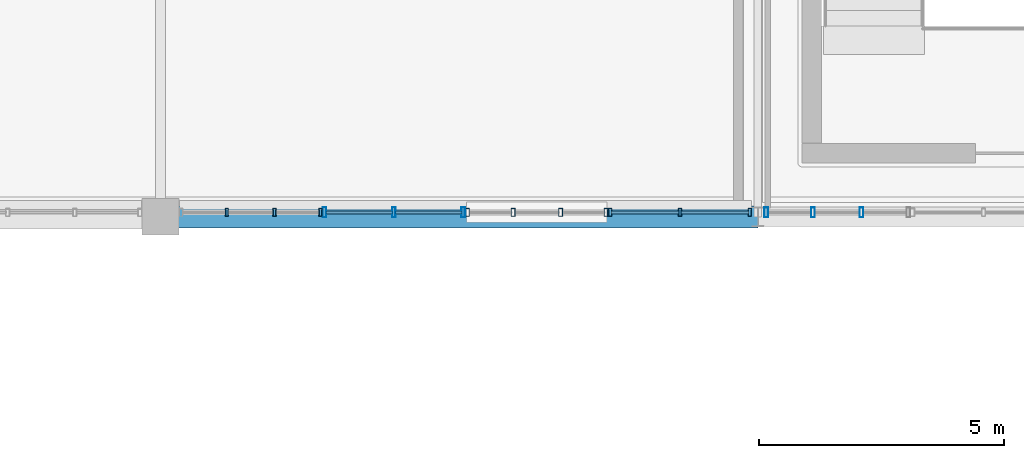
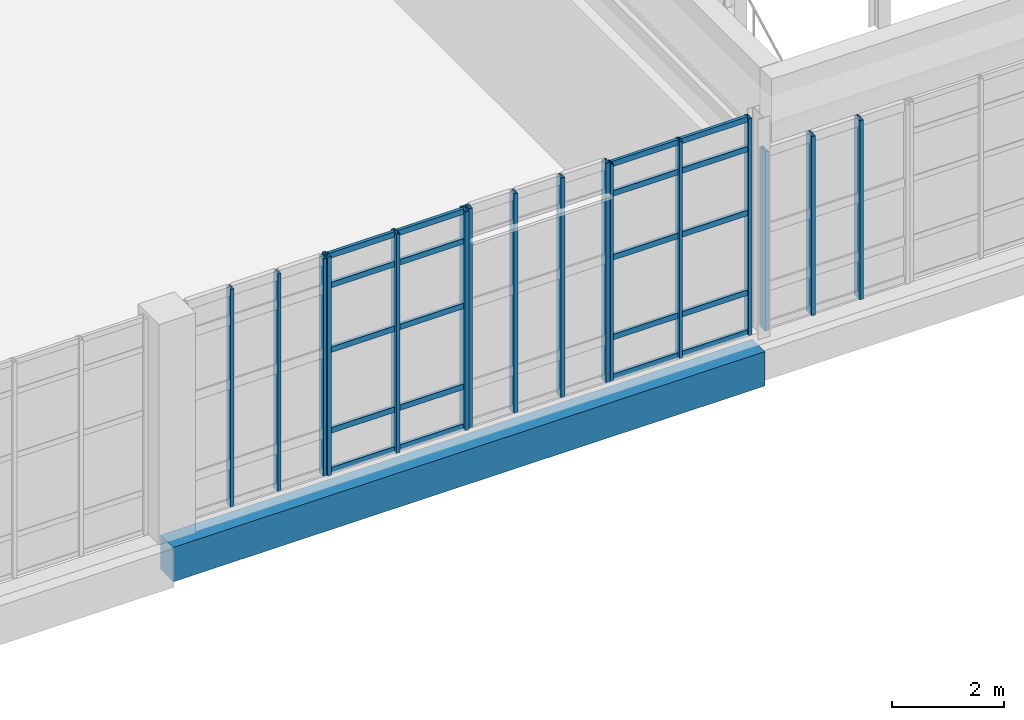
# One storey, part 71 of 127: 36 members, 1 beam, 5 elements without a shape of their own.
"""IFC4 building model written with IfcOpenShell, lengths in metres."""

from ifc_helpers import new_model, si_unit, derived_unit, direction, frame, origin, origin_2d, place, context, subcontext, project, spatial, rectangle, hollow_rectangle, extrude, material, layer, layer_set, material_profile, profile_set, type_object, element, aggregate, save


model = new_model("IFC4")

# Units and contexts
model_context = context("Model", 3, precision=1e-05, world=origin(), true_north=direction((0.0, 1.0)))
body_context = subcontext(model_context, "Body", "Model", "MODEL_VIEW")
ifc_project = project(units=[si_unit("LENGTHUNIT", "METRE"), si_unit("AREAUNIT", "SQUARE_METRE"), si_unit("VOLUMEUNIT", "CUBIC_METRE"), si_unit("PLANEANGLEUNIT", "RADIAN"), si_unit("MASSUNIT", "GRAM", prefix="KILO"), derived_unit("THERMALTRANSMITTANCEUNIT", [(si_unit("POWERUNIT", "WATT"), 1), (si_unit("LENGTHUNIT", "METRE"), -2), (si_unit("THERMODYNAMICTEMPERATUREUNIT", "KELVIN"), -1)])], contexts=[model_context])

# Site, building, storey
site_placement = place(None, origin())
site = spatial("IfcSite", under=ifc_project, at=site_placement, CompositionType="ELEMENT")
building_placement = place(site_placement, origin())
building = spatial("IfcBuilding", under=site, at=building_placement, Name="Nallur Shell Playhouse", CompositionType="ELEMENT")
storey_placement = place(building_placement, frame((0.0, 0.0, 5.39990234375)))
storey = spatial("IfcBuildingStorey", under=building, at=storey_placement, Name="L02", CompositionType="ELEMENT", Elevation=5.39990234375)

# Beam
ifc_material_1 = material(Name="Concrete M35", Category="concrete")
ifc_material_profile_1 = material_profile(ifc_material_1, rectangle(XDim=0.449951171875, YDim=0.75, at=origin_2d()), Name="RC 450x750")
ifc_profile_set_1 = profile_set([ifc_material_profile_1], Name="Concrete M35")
beam_type = type_object("IfcBeamType", Name="BM-RC-450x750", PredefinedType="BEAM", material=ifc_profile_set_1)
beam_placement = place(storey_placement, frame((135.39990234375, 24.0, -0.65478515625), z_axis=(1.0, 0.0, 0.0), x_axis=(0.0, 1.0, 0.0)))
element("IfcBeam", 1, at=beam_placement, inside=storey, type_object=beam_type, Name="L02 girder X-C-334", PredefinedType="BEAM", context=body_context, shape_type="SweptSolid", body=[
    extrude(rectangle(XDim=0.449951171875, YDim=0.75, at=origin_2d()), origin(), (0.0, 0.0, 1.0), 12.2001953125),
])

# Curtain wall, members
ifc_material_2 = material(Name="Anodised Aluminium Double-Glazed Facade System", Category="aluminium")
ifc_layer_1 = layer(ifc_material_2, 0.159912109375)
ifc_layer_set_1 = layer_set([ifc_layer_1], Name="Anodised Aluminium Double-Glazed Facade System")
curtain_wall_type_1 = type_object("IfcCurtainWallType", Name="CW-UNIT-12", PredefinedType="NOTDEFINED", material=ifc_layer_set_1)
curtain_wall_1_placement = place(storey_placement, origin())
curtain_wall_1 = element("IfcCurtainWall", 2, at=curtain_wall_1_placement, inside=storey, type_object=curtain_wall_type_1, Name="Unitised curtain wall CW-044 (L02)", PredefinedType="NOTDEFINED")
ifc_material_3 = material(Name="Aluminium Alloy 6063-T6 Mullion", Category="aluminium")
ifc_material_profile_2 = material_profile(ifc_material_3, hollow_rectangle(XDim=0.080078125, YDim=0.159912109375, WallThickness=0.006103515625, at=origin_2d()), Name="RHS 160x80x6")
ifc_profile_set_2 = profile_set([ifc_material_profile_2], Name="Aluminium Alloy 6063-T6 Mullion")
member_type_1 = type_object("IfcMemberType", Name="MB-CW-MUL150", PredefinedType="MULLION", material=ifc_profile_set_2)
member_1_placement = place(storey_placement, frame((144.5009765625, 24.090087890625, -0.014892578125), z_axis=(0.0, 0.0, 1.0), x_axis=(-1.0, 0.0, 0.0)))
member_1 = element("IfcMember", 3, at=member_1_placement, type_object=member_type_1, Name="CW-12 mullion 1", PredefinedType="MULLION", context=body_context, shape_type="SweptSolid", body=[
    extrude(hollow_rectangle(XDim=0.080078125, YDim=0.159912109375, WallThickness=0.006103515625, at=origin_2d()), origin(), (0.0, 0.0, 1.0), 4.7890625),
])
member_2_placement = place(storey_placement, frame((143.570556640625, 24.090087890625, -0.014892578125), z_axis=(0.0, 0.0, 1.0), x_axis=(-1.0, 0.0, 0.0)))
member_2 = element("IfcMember", 4, at=member_2_placement, type_object=member_type_1, Name="CW-12 mullion 2", PredefinedType="MULLION", context=body_context, shape_type="SweptSolid", body=[
    extrude(hollow_rectangle(XDim=0.080078125, YDim=0.159912109375, WallThickness=0.006103515625, at=origin_2d()), origin(), (0.0, 0.0, 1.0), 4.7890625),
])
member_3_placement = place(storey_placement, frame((142.600341796875, 24.090087890625, -0.014892578125), z_axis=(0.0, 0.0, 1.0), x_axis=(-1.0, 0.0, 0.0)))
member_3 = element("IfcMember", 5, at=member_3_placement, type_object=member_type_1, Name="CW-12 mullion 3", PredefinedType="MULLION", context=body_context, shape_type="SweptSolid", body=[
    extrude(hollow_rectangle(XDim=0.080078125, YDim=0.159912109375, WallThickness=0.006103515625, at=origin_2d()), origin(), (0.0, 0.0, 1.0), 4.7890625),
])
member_4_placement = place(storey_placement, frame((141.669921875, 24.090087890625, -0.014892578125), z_axis=(0.0, 0.0, 1.0), x_axis=(-1.0, 0.0, 0.0)))
member_4 = element("IfcMember", 6, at=member_4_placement, type_object=member_type_1, Name="CW-12 mullion 4", PredefinedType="MULLION", context=body_context, shape_type="SweptSolid", body=[
    extrude(hollow_rectangle(XDim=0.080078125, YDim=0.159912109375, WallThickness=0.006103515625, at=origin_2d()), origin(), (0.0, 0.0, 1.0), 4.7890625),
])
aggregate(curtain_wall_1, [member_1, member_2, member_3, member_4])

ifc_layer_2 = layer(ifc_material_2, 0.179931640625)
ifc_layer_set_2 = layer_set([ifc_layer_2], Name="Anodised Aluminium Double-Glazed Facade System")
curtain_wall_type_2 = type_object("IfcCurtainWallType", Name="CW-UNIT-11", PredefinedType="NOTDEFINED", material=ifc_layer_set_2)
curtain_wall_2_placement = place(storey_placement, origin())
curtain_wall_2 = element("IfcCurtainWall", 7, at=curtain_wall_2_placement, inside=storey, type_object=curtain_wall_type_2, Name="Unitised curtain wall CW-043 (L02)", PredefinedType="NOTDEFINED")
ifc_material_profile_3 = material_profile(ifc_material_3, hollow_rectangle(XDim=0.06494140625, YDim=0.159912109375, WallThickness=0.00390625, at=origin_2d()), Name="ALU 65x160x4")
ifc_profile_set_3 = profile_set([ifc_material_profile_3], Name="Aluminium Alloy 6063-T6 Mullion")
member_type_2 = type_object("IfcMemberType", Name="MB-CW-MUL160", PredefinedType="MULLION", material=ifc_profile_set_3)
member_5_placement = place(storey_placement, frame((147.4345703125, 24.090087890625, -0.014892578125), z_axis=(0.0, 0.0, 1.0), x_axis=(-1.0, 0.0, 0.0)))
member_5 = element("IfcMember", 8, at=member_5_placement, type_object=member_type_2, Name="CW-11 mullion 1", PredefinedType="MULLION", context=body_context, shape_type="SweptSolid", body=[
    extrude(hollow_rectangle(XDim=0.06494140625, YDim=0.159912109375, WallThickness=0.00390625, at=origin_2d()), origin(), (0.0, 0.0, 1.0), 4.72900390625),
])
member_6_placement = place(storey_placement, frame((146.009033203125, 24.090087890625, -0.014892578125), z_axis=(0.0, 0.0, 1.0), x_axis=(-1.0, 0.0, 0.0)))
member_6 = element("IfcMember", 9, at=member_6_placement, type_object=member_type_2, Name="CW-11 mullion 2", PredefinedType="MULLION", context=body_context, shape_type="SweptSolid", body=[
    extrude(hollow_rectangle(XDim=0.06494140625, YDim=0.159912109375, WallThickness=0.00390625, at=origin_2d()), origin(), (0.0, 0.0, 1.0), 4.72900390625),
])
member_7_placement = place(storey_placement, frame((144.58349609375, 24.090087890625, -0.014892578125), z_axis=(0.0, 0.0, 1.0), x_axis=(-1.0, 0.0, 0.0)))
member_7 = element("IfcMember", 10, at=member_7_placement, type_object=member_type_2, Name="CW-11 mullion 3", PredefinedType="MULLION", context=body_context, shape_type="SweptSolid", body=[
    extrude(hollow_rectangle(XDim=0.06494140625, YDim=0.159912109375, WallThickness=0.00390625, at=origin_2d()), origin(), (0.0, 0.0, 1.0), 4.72900390625),
])

ifc_layer_3 = layer(ifc_material_2, 0.16796875)
ifc_layer_set_3 = layer_set([ifc_layer_3], Name="Anodised Aluminium Double-Glazed Facade System")
curtain_wall_type_3 = type_object("IfcCurtainWallType", Name="CW-UNIT-14", PredefinedType="NOTDEFINED", material=ifc_layer_set_3)
curtain_wall_3_placement = place(storey_placement, origin())
curtain_wall_3 = element("IfcCurtainWall", 11, at=curtain_wall_3_placement, inside=storey, type_object=curtain_wall_type_3, Name="Unitised curtain wall CW-046 (L02)", PredefinedType="NOTDEFINED")
member_8_placement = place(storey_placement, frame((138.66650390625, 24.090087890625, -0.014892578125), z_axis=(0.0, 0.0, 1.0), x_axis=(-1.0, 0.0, 0.0)))
member_8 = element("IfcMember", 12, at=member_8_placement, type_object=member_type_2, Name="CW-14 mullion 1", PredefinedType="MULLION", context=body_context, shape_type="SweptSolid", body=[
    extrude(hollow_rectangle(XDim=0.06494140625, YDim=0.159912109375, WallThickness=0.00390625, at=origin_2d()), origin(), (0.0, 0.0, 1.0), 4.7490234375),
])
member_9_placement = place(storey_placement, frame((137.72705078125, 24.090087890625, -0.014892578125), z_axis=(0.0, 0.0, 1.0), x_axis=(-1.0, 0.0, 0.0)))
member_9 = element("IfcMember", 13, at=member_9_placement, type_object=member_type_2, Name="CW-14 mullion 2", PredefinedType="MULLION", context=body_context, shape_type="SweptSolid", body=[
    extrude(hollow_rectangle(XDim=0.06494140625, YDim=0.159912109375, WallThickness=0.00390625, at=origin_2d()), origin(), (0.0, 0.0, 1.0), 4.7490234375),
])
member_10_placement = place(storey_placement, frame((136.7548828125, 24.090087890625, -0.014892578125), z_axis=(0.0, 0.0, 1.0), x_axis=(-1.0, 0.0, 0.0)))
member_10 = element("IfcMember", 14, at=member_10_placement, type_object=member_type_2, Name="CW-14 mullion 3", PredefinedType="MULLION", context=body_context, shape_type="SweptSolid", body=[
    extrude(hollow_rectangle(XDim=0.06494140625, YDim=0.159912109375, WallThickness=0.00390625, at=origin_2d()), origin(), (0.0, 0.0, 1.0), 4.7490234375),
])
aggregate(curtain_wall_3, [member_8, member_9, member_10])

ifc_layer_4 = layer(ifc_material_2, 0.176025390625)
ifc_layer_set_4 = layer_set([ifc_layer_4], Name="Anodised Aluminium Double-Glazed Facade System")
curtain_wall_type_4 = type_object("IfcCurtainWallType", Name="CW-UNIT-10", PredefinedType="NOTDEFINED", material=ifc_layer_set_4)
curtain_wall_4_placement = place(storey_placement, origin())
curtain_wall_4 = element("IfcCurtainWall", 15, at=curtain_wall_4_placement, inside=storey, type_object=curtain_wall_type_4, Name="Unitised curtain wall CW-042 (L02)", PredefinedType="NOTDEFINED")
ifc_material_profile_4 = material_profile(ifc_material_3, hollow_rectangle(XDim=0.074951171875, YDim=0.199951171875, WallThickness=0.0048828125, at=origin_2d()), Name="ALU 75x200x5")
ifc_profile_set_4 = profile_set([ifc_material_profile_4], Name="Aluminium Alloy 6063-T6 Mullion")
member_type_3 = type_object("IfcMemberType", Name="MB-CW-MUL180", PredefinedType="MULLION", material=ifc_profile_set_4)
member_11_placement = place(storey_placement, frame((149.71875, 24.090087890625, -0.014892578125), z_axis=(0.0, 0.0, 1.0), x_axis=(-1.0, 0.0, 0.0)))
member_11 = element("IfcMember", 16, at=member_11_placement, type_object=member_type_3, Name="CW-10 mullion 2", PredefinedType="MULLION", context=body_context, shape_type="SweptSolid", body=[
    extrude(hollow_rectangle(XDim=0.074951171875, YDim=0.199951171875, WallThickness=0.0048828125, at=origin_2d()), origin(), (0.0, 0.0, 1.0), 3.904052734375),
])
member_12_placement = place(storey_placement, frame((148.725830078125, 24.090087890625, -0.014892578125), z_axis=(0.0, 0.0, 1.0), x_axis=(-1.0, 0.0, 0.0)))
member_12 = element("IfcMember", 17, at=member_12_placement, type_object=member_type_3, Name="CW-10 mullion 3", PredefinedType="MULLION", context=body_context, shape_type="SweptSolid", body=[
    extrude(hollow_rectangle(XDim=0.074951171875, YDim=0.199951171875, WallThickness=0.0048828125, at=origin_2d()), origin(), (0.0, 0.0, 1.0), 3.904052734375),
])
member_13_placement = place(storey_placement, frame((147.7705078125, 24.090087890625, -0.014892578125), z_axis=(0.0, 0.0, 1.0), x_axis=(-1.0, 0.0, 0.0)))
member_13 = element("IfcMember", 18, at=member_13_placement, type_object=member_type_3, Name="CW-10 mullion 4", PredefinedType="MULLION", context=body_context, shape_type="SweptSolid", body=[
    extrude(hollow_rectangle(XDim=0.074951171875, YDim=0.199951171875, WallThickness=0.0048828125, at=origin_2d()), origin(), (0.0, 0.0, 1.0), 3.904052734375),
])
aggregate(curtain_wall_4, [member_11, member_12, member_13])

ifc_layer_5 = layer(ifc_material_2, 0.1640625)
ifc_layer_set_5 = layer_set([ifc_layer_5], Name="Anodised Aluminium Double-Glazed Facade System")
curtain_wall_type_5 = type_object("IfcCurtainWallType", Name="CW-UNIT-13", PredefinedType="NOTDEFINED", material=ifc_layer_set_5)
curtain_wall_5_placement = place(storey_placement, origin())
curtain_wall_5 = element("IfcCurtainWall", 19, at=curtain_wall_5_placement, inside=storey, type_object=curtain_wall_type_5, Name="Unitised curtain wall CW-045 (L02)", PredefinedType="NOTDEFINED")
member_14_placement = place(storey_placement, frame((141.58251953125, 24.090087890625, -0.014892578125), z_axis=(0.0, 0.0, 1.0), x_axis=(-1.0, 0.0, 0.0)))
member_14 = element("IfcMember", 20, at=member_14_placement, type_object=member_type_3, Name="CW-13 mullion 1", PredefinedType="MULLION", context=body_context, shape_type="SweptSolid", body=[
    extrude(hollow_rectangle(XDim=0.074951171875, YDim=0.199951171875, WallThickness=0.0048828125, at=origin_2d()), origin(), (0.0, 0.0, 1.0), 4.76904296875),
])
member_15_placement = place(storey_placement, frame((140.16455078125, 24.090087890625, -0.014892578125), z_axis=(0.0, 0.0, 1.0), x_axis=(-1.0, 0.0, 0.0)))
member_15 = element("IfcMember", 21, at=member_15_placement, type_object=member_type_3, Name="CW-13 mullion 2", PredefinedType="MULLION", context=body_context, shape_type="SweptSolid", body=[
    extrude(hollow_rectangle(XDim=0.074951171875, YDim=0.199951171875, WallThickness=0.0048828125, at=origin_2d()), origin(), (0.0, 0.0, 1.0), 4.76904296875),
])
member_16_placement = place(storey_placement, frame((138.74658203125, 24.090087890625, -0.014892578125), z_axis=(0.0, 0.0, 1.0), x_axis=(-1.0, 0.0, 0.0)))
member_16 = element("IfcMember", 22, at=member_16_placement, type_object=member_type_3, Name="CW-13 mullion 3", PredefinedType="MULLION", context=body_context, shape_type="SweptSolid", body=[
    extrude(hollow_rectangle(XDim=0.074951171875, YDim=0.199951171875, WallThickness=0.0048828125, at=origin_2d()), origin(), (0.0, 0.0, 1.0), 4.76904296875),
])

# Member
ifc_material_4 = material(Name="Aluminium Alloy 6063-T6 Transom", Category="aluminium")
ifc_material_profile_5 = material_profile(ifc_material_4, hollow_rectangle(XDim=0.06494140625, YDim=0.1201171875, WallThickness=0.00390625, at=origin_2d()), Name="ALU 65x120x4")
ifc_profile_set_5 = profile_set([ifc_material_profile_5], Name="Aluminium Alloy 6063-T6 Transom")
member_type_4 = type_object("IfcMemberType", Name="MB-CW-TRN120", PredefinedType="USERDEFINED", material=ifc_profile_set_5)
member_17_placement = place(storey_placement, frame((147.409912109375, 24.090087890625, 0.03271484375), z_axis=(-1.0, 0.0, 0.0), x_axis=(0.0, -1.0, 0.0)))
member_17 = element("IfcMember", 23, at=member_17_placement, type_object=member_type_4, Name="CW-11 transom 1.1", ObjectType="TRANSOM", PredefinedType="USERDEFINED", context=body_context, shape_type="SweptSolid", body=[
    extrude(hollow_rectangle(XDim=0.06494140625, YDim=0.1201171875, WallThickness=0.00390625, at=origin_2d()), origin(), (0.0, 0.0, 1.0), 1.37646484375),
])

member_18_placement = place(storey_placement, frame((147.409912109375, 24.090087890625, 0.900146484375), z_axis=(-1.0, 0.0, 0.0), x_axis=(0.0, -1.0, 0.0)))
member_18 = element("IfcMember", 24, at=member_18_placement, type_object=member_type_4, Name="CW-11 transom 1.2", ObjectType="TRANSOM", PredefinedType="USERDEFINED", context=body_context, shape_type="SweptSolid", body=[
    extrude(hollow_rectangle(XDim=0.06494140625, YDim=0.1201171875, WallThickness=0.00390625, at=origin_2d()), origin(), (0.0, 0.0, 1.0), 1.37646484375),
])

member_19_placement = place(storey_placement, frame((147.409912109375, 24.090087890625, 2.63818359375), z_axis=(-1.0, 0.0, 0.0), x_axis=(0.0, -1.0, 0.0)))
member_19 = element("IfcMember", 25, at=member_19_placement, type_object=member_type_4, Name="CW-11 transom 1.3", ObjectType="TRANSOM", PredefinedType="USERDEFINED", context=body_context, shape_type="SweptSolid", body=[
    extrude(hollow_rectangle(XDim=0.06494140625, YDim=0.1201171875, WallThickness=0.00390625, at=origin_2d()), origin(), (0.0, 0.0, 1.0), 1.37646484375),
])

member_20_placement = place(storey_placement, frame((147.409912109375, 24.090087890625, 4.030029296875), z_axis=(-1.0, 0.0, 0.0), x_axis=(0.0, -1.0, 0.0)))
member_20 = element("IfcMember", 26, at=member_20_placement, type_object=member_type_4, Name="CW-11 transom 1.4", ObjectType="TRANSOM", PredefinedType="USERDEFINED", context=body_context, shape_type="SweptSolid", body=[
    extrude(hollow_rectangle(XDim=0.06494140625, YDim=0.1201171875, WallThickness=0.00390625, at=origin_2d()), origin(), (0.0, 0.0, 1.0), 1.37646484375),
])

member_21_placement = place(storey_placement, frame((147.409912109375, 24.090087890625, 4.677490234375), z_axis=(-1.0, 0.0, 0.0), x_axis=(0.0, -1.0, 0.0)))
member_21 = element("IfcMember", 27, at=member_21_placement, type_object=member_type_4, Name="CW-11 transom 1.5", ObjectType="TRANSOM", PredefinedType="USERDEFINED", context=body_context, shape_type="SweptSolid", body=[
    extrude(hollow_rectangle(XDim=0.06494140625, YDim=0.1201171875, WallThickness=0.00390625, at=origin_2d()), origin(), (0.0, 0.0, 1.0), 1.37646484375),
])

member_22_placement = place(storey_placement, frame((145.984619140625, 24.090087890625, 0.03271484375), z_axis=(-1.0, 0.0, 0.0), x_axis=(0.0, -1.0, 0.0)))
member_22 = element("IfcMember", 28, at=member_22_placement, type_object=member_type_4, Name="CW-11 transom 2.1", ObjectType="TRANSOM", PredefinedType="USERDEFINED", context=body_context, shape_type="SweptSolid", body=[
    extrude(hollow_rectangle(XDim=0.06494140625, YDim=0.1201171875, WallThickness=0.00390625, at=origin_2d()), origin(), (0.0, 0.0, 1.0), 1.376708984375),
])

member_23_placement = place(storey_placement, frame((145.984619140625, 24.090087890625, 0.900146484375), z_axis=(-1.0, 0.0, 0.0), x_axis=(0.0, -1.0, 0.0)))
member_23 = element("IfcMember", 29, at=member_23_placement, type_object=member_type_4, Name="CW-11 transom 2.2", ObjectType="TRANSOM", PredefinedType="USERDEFINED", context=body_context, shape_type="SweptSolid", body=[
    extrude(hollow_rectangle(XDim=0.06494140625, YDim=0.1201171875, WallThickness=0.00390625, at=origin_2d()), origin(), (0.0, 0.0, 1.0), 1.376708984375),
])

member_24_placement = place(storey_placement, frame((145.984619140625, 24.090087890625, 2.63818359375), z_axis=(-1.0, 0.0, 0.0), x_axis=(0.0, -1.0, 0.0)))
member_24 = element("IfcMember", 30, at=member_24_placement, type_object=member_type_4, Name="CW-11 transom 2.3", ObjectType="TRANSOM", PredefinedType="USERDEFINED", context=body_context, shape_type="SweptSolid", body=[
    extrude(hollow_rectangle(XDim=0.06494140625, YDim=0.1201171875, WallThickness=0.00390625, at=origin_2d()), origin(), (0.0, 0.0, 1.0), 1.376708984375),
])

member_25_placement = place(storey_placement, frame((145.984619140625, 24.090087890625, 4.030029296875), z_axis=(-1.0, 0.0, 0.0), x_axis=(0.0, -1.0, 0.0)))
member_25 = element("IfcMember", 31, at=member_25_placement, type_object=member_type_4, Name="CW-11 transom 2.4", ObjectType="TRANSOM", PredefinedType="USERDEFINED", context=body_context, shape_type="SweptSolid", body=[
    extrude(hollow_rectangle(XDim=0.06494140625, YDim=0.1201171875, WallThickness=0.00390625, at=origin_2d()), origin(), (0.0, 0.0, 1.0), 1.376708984375),
])

member_26_placement = place(storey_placement, frame((145.984619140625, 24.090087890625, 4.677490234375), z_axis=(-1.0, 0.0, 0.0), x_axis=(0.0, -1.0, 0.0)))
member_26 = element("IfcMember", 32, at=member_26_placement, type_object=member_type_4, Name="CW-11 transom 2.5", ObjectType="TRANSOM", PredefinedType="USERDEFINED", context=body_context, shape_type="SweptSolid", body=[
    extrude(hollow_rectangle(XDim=0.06494140625, YDim=0.1201171875, WallThickness=0.00390625, at=origin_2d()), origin(), (0.0, 0.0, 1.0), 1.376708984375),
])

aggregate(curtain_wall_2, [member_5, member_6, member_7, member_17, member_18, member_19, member_20, member_21, member_22, member_23, member_24, member_25, member_26])

member_27_placement = place(storey_placement, frame((141.552978515625, 24.090087890625, 0.03271484375), z_axis=(-1.0, 0.0, 0.0), x_axis=(0.0, -1.0, 0.0)))
member_27 = element("IfcMember", 33, at=member_27_placement, type_object=member_type_4, Name="CW-13 transom 1.1", ObjectType="TRANSOM", PredefinedType="USERDEFINED", context=body_context, shape_type="SweptSolid", body=[
    extrude(hollow_rectangle(XDim=0.06494140625, YDim=0.1201171875, WallThickness=0.00390625, at=origin_2d()), origin(), (0.0, 0.0, 1.0), 1.35888671875),
])

member_28_placement = place(storey_placement, frame((141.552978515625, 24.090087890625, 0.900146484375), z_axis=(-1.0, 0.0, 0.0), x_axis=(0.0, -1.0, 0.0)))
member_28 = element("IfcMember", 34, at=member_28_placement, type_object=member_type_4, Name="CW-13 transom 1.2", ObjectType="TRANSOM", PredefinedType="USERDEFINED", context=body_context, shape_type="SweptSolid", body=[
    extrude(hollow_rectangle(XDim=0.06494140625, YDim=0.1201171875, WallThickness=0.00390625, at=origin_2d()), origin(), (0.0, 0.0, 1.0), 1.35888671875),
])

member_29_placement = place(storey_placement, frame((141.552978515625, 24.090087890625, 2.66015625), z_axis=(-1.0, 0.0, 0.0), x_axis=(0.0, -1.0, 0.0)))
member_29 = element("IfcMember", 35, at=member_29_placement, type_object=member_type_4, Name="CW-13 transom 1.3", ObjectType="TRANSOM", PredefinedType="USERDEFINED", context=body_context, shape_type="SweptSolid", body=[
    extrude(hollow_rectangle(XDim=0.06494140625, YDim=0.1201171875, WallThickness=0.00390625, at=origin_2d()), origin(), (0.0, 0.0, 1.0), 1.35888671875),
])

member_30_placement = place(storey_placement, frame((141.552978515625, 24.090087890625, 4.070068359375), z_axis=(-1.0, 0.0, 0.0), x_axis=(0.0, -1.0, 0.0)))
member_30 = element("IfcMember", 36, at=member_30_placement, type_object=member_type_4, Name="CW-13 transom 1.4", ObjectType="TRANSOM", PredefinedType="USERDEFINED", context=body_context, shape_type="SweptSolid", body=[
    extrude(hollow_rectangle(XDim=0.06494140625, YDim=0.1201171875, WallThickness=0.00390625, at=origin_2d()), origin(), (0.0, 0.0, 1.0), 1.35888671875),
])

member_31_placement = place(storey_placement, frame((141.552978515625, 24.090087890625, 4.717529296875), z_axis=(-1.0, 0.0, 0.0), x_axis=(0.0, -1.0, 0.0)))
member_31 = element("IfcMember", 37, at=member_31_placement, type_object=member_type_4, Name="CW-13 transom 1.5", ObjectType="TRANSOM", PredefinedType="USERDEFINED", context=body_context, shape_type="SweptSolid", body=[
    extrude(hollow_rectangle(XDim=0.06494140625, YDim=0.1201171875, WallThickness=0.00390625, at=origin_2d()), origin(), (0.0, 0.0, 1.0), 1.35888671875),
])

member_32_placement = place(storey_placement, frame((140.135009765625, 24.090087890625, 0.03271484375), z_axis=(-1.0, 0.0, 0.0), x_axis=(0.0, -1.0, 0.0)))
member_32 = element("IfcMember", 38, at=member_32_placement, type_object=member_type_4, Name="CW-13 transom 2.1", ObjectType="TRANSOM", PredefinedType="USERDEFINED", context=body_context, shape_type="SweptSolid", body=[
    extrude(hollow_rectangle(XDim=0.06494140625, YDim=0.1201171875, WallThickness=0.00390625, at=origin_2d()), origin(), (0.0, 0.0, 1.0), 1.359130859375),
])

member_33_placement = place(storey_placement, frame((140.135009765625, 24.090087890625, 0.900146484375), z_axis=(-1.0, 0.0, 0.0), x_axis=(0.0, -1.0, 0.0)))
member_33 = element("IfcMember", 39, at=member_33_placement, type_object=member_type_4, Name="CW-13 transom 2.2", ObjectType="TRANSOM", PredefinedType="USERDEFINED", context=body_context, shape_type="SweptSolid", body=[
    extrude(hollow_rectangle(XDim=0.06494140625, YDim=0.1201171875, WallThickness=0.00390625, at=origin_2d()), origin(), (0.0, 0.0, 1.0), 1.359130859375),
])

member_34_placement = place(storey_placement, frame((140.135009765625, 24.090087890625, 2.66015625), z_axis=(-1.0, 0.0, 0.0), x_axis=(0.0, -1.0, 0.0)))
member_34 = element("IfcMember", 40, at=member_34_placement, type_object=member_type_4, Name="CW-13 transom 2.3", ObjectType="TRANSOM", PredefinedType="USERDEFINED", context=body_context, shape_type="SweptSolid", body=[
    extrude(hollow_rectangle(XDim=0.06494140625, YDim=0.1201171875, WallThickness=0.00390625, at=origin_2d()), origin(), (0.0, 0.0, 1.0), 1.359130859375),
])

member_35_placement = place(storey_placement, frame((140.135009765625, 24.090087890625, 4.070068359375), z_axis=(-1.0, 0.0, 0.0), x_axis=(0.0, -1.0, 0.0)))
member_35 = element("IfcMember", 41, at=member_35_placement, type_object=member_type_4, Name="CW-13 transom 2.4", ObjectType="TRANSOM", PredefinedType="USERDEFINED", context=body_context, shape_type="SweptSolid", body=[
    extrude(hollow_rectangle(XDim=0.06494140625, YDim=0.1201171875, WallThickness=0.00390625, at=origin_2d()), origin(), (0.0, 0.0, 1.0), 1.359130859375),
])

member_36_placement = place(storey_placement, frame((140.135009765625, 24.090087890625, 4.717529296875), z_axis=(-1.0, 0.0, 0.0), x_axis=(0.0, -1.0, 0.0)))
member_36 = element("IfcMember", 42, at=member_36_placement, type_object=member_type_4, Name="CW-13 transom 2.5", ObjectType="TRANSOM", PredefinedType="USERDEFINED", context=body_context, shape_type="SweptSolid", body=[
    extrude(hollow_rectangle(XDim=0.06494140625, YDim=0.1201171875, WallThickness=0.00390625, at=origin_2d()), origin(), (0.0, 0.0, 1.0), 1.359130859375),
])

aggregate(curtain_wall_5, [member_14, member_15, member_16, member_27, member_28, member_29, member_30, member_31, member_32, member_33, member_34, member_35, member_36])

save(model, "model.ifc")
